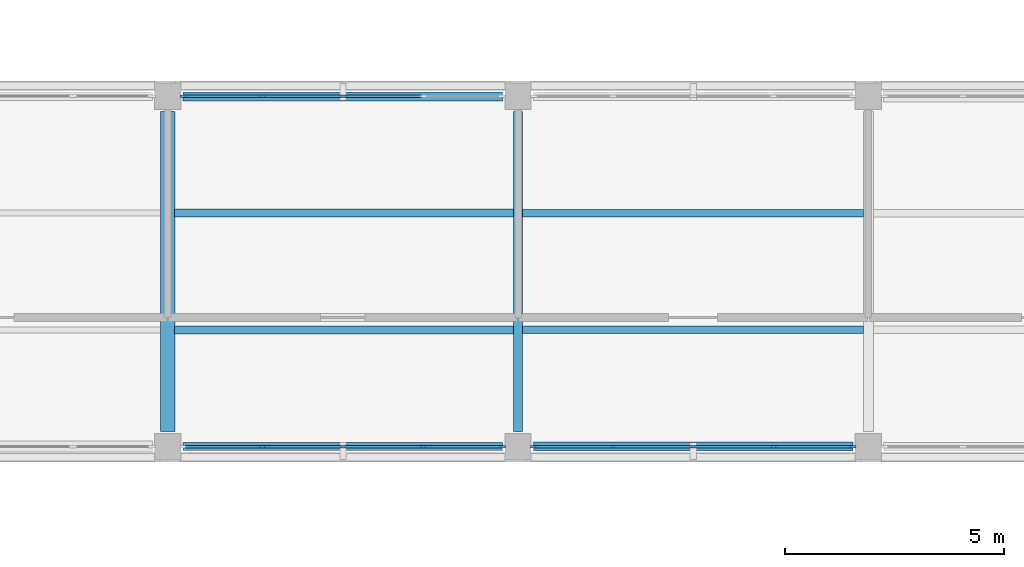
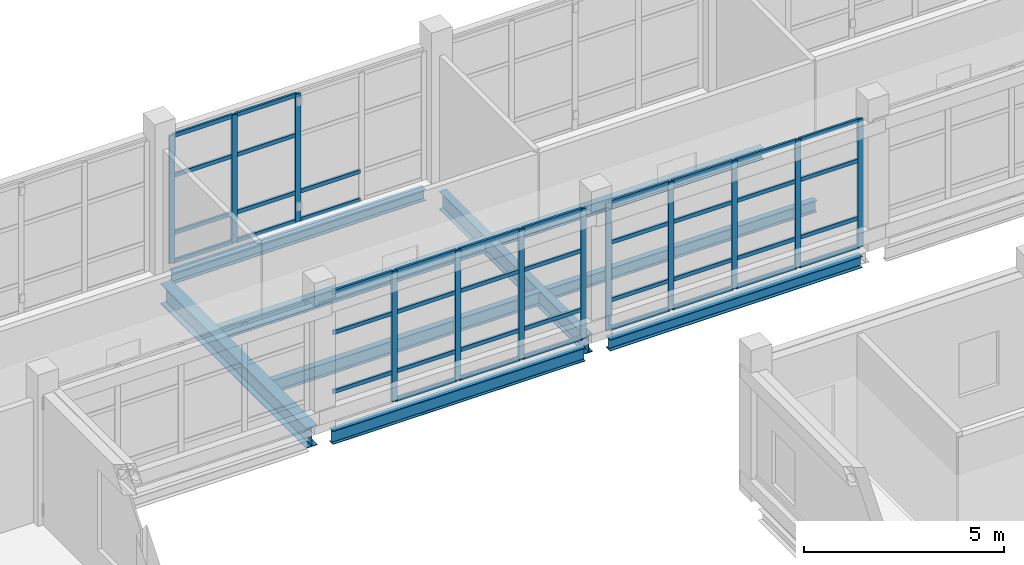
# One storey, part 47 of 121: 53 members, 9 beams, 3 elements without a shape of their own.
"""IFC4 building model written with IfcOpenShell, lengths in metres."""

from ifc_helpers import new_model, si_unit, derived_unit, direction, frame, origin, origin_2d, place, context, subcontext, project, spatial, rectangle, i_section, extrude, material, layer, layer_set, material_profile, profile_set, type_object, element, aggregate, save


model = new_model("IFC4")

# Units and contexts
model_context = context("Model", 3, precision=1e-05, world=origin(), true_north=direction((0.0, 1.0)))
body_context = subcontext(model_context, "Body", "Model", "MODEL_VIEW")
ifc_project = project(units=[si_unit("LENGTHUNIT", "METRE"), si_unit("AREAUNIT", "SQUARE_METRE"), si_unit("VOLUMEUNIT", "CUBIC_METRE"), si_unit("PLANEANGLEUNIT", "RADIAN"), si_unit("MASSUNIT", "GRAM", prefix="KILO"), derived_unit("THERMALTRANSMITTANCEUNIT", [(si_unit("MASSUNIT", "GRAM", prefix="KILO"), 1), (si_unit("TIMEUNIT", "SECOND"), -3), (si_unit("THERMODYNAMICTEMPERATUREUNIT", "KELVIN"), -1)])], contexts=[model_context])

# Site, building, storey
site_placement = place(None, origin())
site = spatial("IfcSite", under=ifc_project, at=site_placement, CompositionType="ELEMENT")
building_placement = place(site_placement, origin())
building = spatial("IfcBuilding", under=site, at=building_placement, Name="Veyamyaing Civic Hall", CompositionType="ELEMENT")
storey_placement = place(building_placement, frame((0.0, 0.0, 5.280029296875)))
storey = spatial("IfcBuildingStorey", under=building, at=storey_placement, Name="L01", CompositionType="ELEMENT", Elevation=5.280029296875)

# Beams
ifc_material_1 = material(Name="Steel ASTM A992", Category="steel")
ifc_material_profile_1 = material_profile(ifc_material_1, i_section(OverallWidth=0.179931640625, OverallDepth=0.4130859375, WebThickness=0.009765625, FlangeThickness=0.01611328125, FilletRadius=0.010009765625, at=origin_2d()), Name="W410X74")
ifc_profile_set_1 = profile_set([ifc_material_profile_1], Name="Steel ASTM A992")
beam_type_1 = type_object("IfcBeamType", Name="B-10", PredefinedType="SPANDREL", material=ifc_profile_set_1)
beam_1_placement = place(storey_placement, frame((128.35009765625, 48.0, -0.451416015625), z_axis=(1.0, 0.0, 0.0), x_axis=(0.0, 1.0, 0.0)))
element("IfcBeam", 1, at=beam_1_placement, inside=storey, type_object=beam_type_1, Name="Girder B-10 L01 Grid G 17-18", PredefinedType="SPANDREL", context=body_context, shape_type="SweptSolid", body=[
    extrude(i_section(OverallWidth=0.179931640625, OverallDepth=0.4130859375, WebThickness=0.009765625, FlangeThickness=0.01611328125, FilletRadius=0.010009765625, at=origin_2d()), origin(), (0.0, 0.0, 1.0), 7.2998046875),
])
ifc_material_profile_2 = material_profile(ifc_material_1, i_section(OverallWidth=0.2041015625, OverallDepth=0.35009765625, WebThickness=0.0078125, FlangeThickness=0.01513671875, FilletRadius=0.010009765625, at=origin_2d()), Name="W360X72")
ifc_profile_set_2 = profile_set([ifc_material_profile_2], Name="Steel ASTM A992")
beam_type_2 = type_object("IfcBeamType", Name="B-11", PredefinedType="SPANDREL", material=ifc_profile_set_2)
for number, where, z_axis, x_axis, name in (
    (2, (136.35009765625, 48.0, -0.419921875), (1.0, 0.0, 0.0), (0.0, 1.0, 0.0), "Girder B-11 L01 Grid G 18-19"),
    (3, (128.35009765625, 56.0, -0.419921875), (1.0, 0.0, 0.0), (0.0, 1.0, 0.0), "Girder B-11 L01 Grid H 17-18"),
):
    element("IfcBeam", number, at=place(storey_placement, frame(where, z_axis=z_axis, x_axis=x_axis)), inside=storey, type_object=beam_type_2, Name=name, PredefinedType="SPANDREL", context=body_context, shape_type="SweptSolid", body=[
        extrude(i_section(OverallWidth=0.2041015625, OverallDepth=0.35009765625, WebThickness=0.0078125, FlangeThickness=0.01513671875, FilletRadius=0.010009765625, at=origin_2d()), origin(), (0.0, 0.0, 1.0), 7.2998046875),
    ])
ifc_material_profile_3 = material_profile(ifc_material_1, i_section(OverallWidth=0.324951171875, OverallDepth=0.615966796875, WebThickness=0.013916015625, FlangeThickness=0.021484375, FilletRadius=0.013916015625, at=origin_2d()), Name="W610X174")
ifc_profile_set_3 = profile_set([ifc_material_profile_3], Name="Steel ASTM A992")
beam_type_3 = type_object("IfcBeamType", Name="B-15", PredefinedType="BEAM", material=ifc_profile_set_3)
beam_2_placement = place(storey_placement, frame((128.0, 48.35009765625, -0.552978515625), z_axis=(0.0, 1.0, 0.0), x_axis=(-1.0, 0.0, 0.0)))
element("IfcBeam", 4, at=beam_2_placement, inside=storey, type_object=beam_type_3, Name="Girder B-15 L01 Grid 17 G-H", PredefinedType="BEAM", context=body_context, shape_type="SweptSolid", body=[
    extrude(i_section(OverallWidth=0.324951171875, OverallDepth=0.615966796875, WebThickness=0.013916015625, FlangeThickness=0.021484375, FilletRadius=0.013916015625, at=origin_2d()), origin(), (0.0, 0.0, 1.0), 7.2998046875),
])
ifc_material_profile_4 = material_profile(ifc_material_1, i_section(OverallWidth=0.214111328125, OverallDepth=0.549072265625, WebThickness=0.0146484375, FlangeThickness=0.023681640625, FilletRadius=0.011962890625, at=origin_2d()), Name="W530X138")
ifc_profile_set_4 = profile_set([ifc_material_profile_4], Name="Steel ASTM A992")
beam_type_4 = type_object("IfcBeamType", Name="B-16", PredefinedType="BEAM", material=ifc_profile_set_4)
beam_3_placement = place(storey_placement, frame((136.0, 48.35009765625, -0.51953125), z_axis=(0.0, 1.0, 0.0), x_axis=(-1.0, 0.0, 0.0)))
element("IfcBeam", 5, at=beam_3_placement, inside=storey, type_object=beam_type_4, Name="Girder B-16 L01 Grid 18 G-H", PredefinedType="BEAM", context=body_context, shape_type="SweptSolid", body=[
    extrude(i_section(OverallWidth=0.214111328125, OverallDepth=0.549072265625, WebThickness=0.0146484375, FlangeThickness=0.023681640625, FilletRadius=0.011962890625, at=origin_2d()), origin(), (0.0, 0.0, 1.0), 7.2998046875),
])

# Curtain wall, members
ifc_material_2 = material(Name="Anodised aluminium 6063-T6", Category="aluminium")
ifc_layer = layer(ifc_material_2, 0.159912109375, Name="Anodised aluminium 6063-T6")
ifc_layer_set = layer_set([ifc_layer], Name="Anodised aluminium 6063-T6")
curtain_wall_type = type_object("IfcCurtainWallType", Name="CW-02", PredefinedType="NOTDEFINED", material=ifc_layer_set)
curtain_wall_1_placement = place(storey_placement, origin())
curtain_wall_1 = element("IfcCurtainWall", 6, at=curtain_wall_1_placement, inside=storey, type_object=curtain_wall_type, Name="Unitized curtain wall CW-02 L01 S 17.7", PredefinedType="NOTDEFINED")
ifc_material_profile_5 = material_profile(ifc_material_2, rectangle(XDim=0.06494140625, YDim=0.159912109375, at=origin_2d()), Name="ALU-MUL-65X160")
ifc_profile_set_5 = profile_set([ifc_material_profile_5], Name="Anodised aluminium 6063-T6")
member_type_1 = type_object("IfcMemberType", Name="CWM-01", PredefinedType="MULLION", material=ifc_profile_set_5)
member_1_placement = place(storey_placement, frame((130.1650390625, 48.0, 0.0), z_axis=(0.0, 0.0, 1.0), x_axis=(0.0, 1.0, 0.0)))
member_1 = element("IfcMember", 7, at=member_1_placement, type_object=member_type_1, Name="CW-02 mullion 2", PredefinedType="MULLION", context=body_context, shape_type="SweptSolid", body=[
    extrude(rectangle(XDim=0.06494140625, YDim=0.159912109375, at=origin_2d()), origin(), (0.0, 0.0, 1.0), 3.97705078125),
])
member_2_placement = place(storey_placement, frame((132.0, 48.0, 0.0), z_axis=(0.0, 0.0, 1.0), x_axis=(0.0, 1.0, 0.0)))
member_2 = element("IfcMember", 8, at=member_2_placement, type_object=member_type_1, Name="CW-02 mullion 3", PredefinedType="MULLION", context=body_context, shape_type="SweptSolid", body=[
    extrude(rectangle(XDim=0.06494140625, YDim=0.159912109375, at=origin_2d()), origin(), (0.0, 0.0, 1.0), 3.97705078125),
])
member_3_placement = place(storey_placement, frame((133.8349609375, 48.0, 0.0), z_axis=(0.0, 0.0, 1.0), x_axis=(0.0, 1.0, 0.0)))
member_3 = element("IfcMember", 9, at=member_3_placement, type_object=member_type_1, Name="CW-02 mullion 4", PredefinedType="MULLION", context=body_context, shape_type="SweptSolid", body=[
    extrude(rectangle(XDim=0.06494140625, YDim=0.159912109375, at=origin_2d()), origin(), (0.0, 0.0, 1.0), 3.97705078125),
])
member_4_placement = place(storey_placement, frame((135.637451171875, 48.0, 0.0), z_axis=(0.0, 0.0, 1.0), x_axis=(0.0, 1.0, 0.0)))
member_4 = element("IfcMember", 10, at=member_4_placement, type_object=member_type_1, Name="CW-02 mullion 5", PredefinedType="MULLION", context=body_context, shape_type="SweptSolid", body=[
    extrude(rectangle(XDim=0.06494140625, YDim=0.159912109375, at=origin_2d()), origin(), (0.0, 0.0, 1.0), 3.97705078125),
])

curtain_wall_2_placement = place(storey_placement, origin())
curtain_wall_2 = element("IfcCurtainWall", 11, at=curtain_wall_2_placement, inside=storey, type_object=curtain_wall_type, Name="Unitized curtain wall CW-02 L01 N 17.7", PredefinedType="NOTDEFINED")
member_5_placement = place(storey_placement, frame((128.362548828125, 56.0, 0.0), z_axis=(0.0, 0.0, 1.0), x_axis=(0.0, 1.0, 0.0)))
member_5 = element("IfcMember", 12, at=member_5_placement, type_object=member_type_1, Name="CW-02 mullion 1", PredefinedType="MULLION", context=body_context, shape_type="SweptSolid", body=[
    extrude(rectangle(XDim=0.06494140625, YDim=0.159912109375, at=origin_2d()), origin(), (0.0, 0.0, 1.0), 3.909912109375),
])
member_6_placement = place(storey_placement, frame((130.1650390625, 56.0, 0.0), z_axis=(0.0, 0.0, 1.0), x_axis=(0.0, 1.0, 0.0)))
member_6 = element("IfcMember", 13, at=member_6_placement, type_object=member_type_1, Name="CW-02 mullion 2", PredefinedType="MULLION", context=body_context, shape_type="SweptSolid", body=[
    extrude(rectangle(XDim=0.06494140625, YDim=0.159912109375, at=origin_2d()), origin(), (0.0, 0.0, 1.0), 3.909912109375),
])
member_7_placement = place(storey_placement, frame((132.0, 56.0, 0.0), z_axis=(0.0, 0.0, 1.0), x_axis=(0.0, 1.0, 0.0)))
member_7 = element("IfcMember", 14, at=member_7_placement, type_object=member_type_1, Name="CW-02 mullion 3", PredefinedType="MULLION", context=body_context, shape_type="SweptSolid", body=[
    extrude(rectangle(XDim=0.06494140625, YDim=0.159912109375, at=origin_2d()), origin(), (0.0, 0.0, 1.0), 3.909912109375),
])

curtain_wall_3_placement = place(storey_placement, origin())
curtain_wall_3 = element("IfcCurtainWall", 15, at=curtain_wall_3_placement, inside=storey, type_object=curtain_wall_type, Name="Unitized curtain wall CW-02 L01 S 18.7", PredefinedType="NOTDEFINED")
member_8_placement = place(storey_placement, frame((136.362548828125, 48.0, 0.0), z_axis=(0.0, 0.0, 1.0), x_axis=(0.0, 1.0, 0.0)))
member_8 = element("IfcMember", 16, at=member_8_placement, type_object=member_type_1, Name="CW-02 mullion 1", PredefinedType="MULLION", context=body_context, shape_type="SweptSolid", body=[
    extrude(rectangle(XDim=0.06494140625, YDim=0.159912109375, at=origin_2d()), origin(), (0.0, 0.0, 1.0), 3.909912109375),
])
member_9_placement = place(storey_placement, frame((138.1650390625, 48.0, 0.0), z_axis=(0.0, 0.0, 1.0), x_axis=(0.0, 1.0, 0.0)))
member_9 = element("IfcMember", 17, at=member_9_placement, type_object=member_type_1, Name="CW-02 mullion 2", PredefinedType="MULLION", context=body_context, shape_type="SweptSolid", body=[
    extrude(rectangle(XDim=0.06494140625, YDim=0.159912109375, at=origin_2d()), origin(), (0.0, 0.0, 1.0), 3.909912109375),
])
member_10_placement = place(storey_placement, frame((140.0, 48.0, 0.0), z_axis=(0.0, 0.0, 1.0), x_axis=(0.0, 1.0, 0.0)))
member_10 = element("IfcMember", 18, at=member_10_placement, type_object=member_type_1, Name="CW-02 mullion 3", PredefinedType="MULLION", context=body_context, shape_type="SweptSolid", body=[
    extrude(rectangle(XDim=0.06494140625, YDim=0.159912109375, at=origin_2d()), origin(), (0.0, 0.0, 1.0), 3.909912109375),
])
member_11_placement = place(storey_placement, frame((141.8349609375, 48.0, 0.0), z_axis=(0.0, 0.0, 1.0), x_axis=(0.0, 1.0, 0.0)))
member_11 = element("IfcMember", 19, at=member_11_placement, type_object=member_type_1, Name="CW-02 mullion 4", PredefinedType="MULLION", context=body_context, shape_type="SweptSolid", body=[
    extrude(rectangle(XDim=0.06494140625, YDim=0.159912109375, at=origin_2d()), origin(), (0.0, 0.0, 1.0), 3.909912109375),
])
member_12_placement = place(storey_placement, frame((143.637451171875, 48.0, 0.0), z_axis=(0.0, 0.0, 1.0), x_axis=(0.0, 1.0, 0.0)))
member_12 = element("IfcMember", 20, at=member_12_placement, type_object=member_type_1, Name="CW-02 mullion 5", PredefinedType="MULLION", context=body_context, shape_type="SweptSolid", body=[
    extrude(rectangle(XDim=0.06494140625, YDim=0.159912109375, at=origin_2d()), origin(), (0.0, 0.0, 1.0), 3.909912109375),
])

# Member
ifc_material_profile_6 = material_profile(ifc_material_2, rectangle(XDim=0.06494140625, YDim=0.1201171875, at=origin_2d()), Name="ALU-TRN-65X120")
ifc_profile_set_6 = profile_set([ifc_material_profile_6], Name="Anodised aluminium 6063-T6")
member_type_2 = type_object("IfcMemberType", Name="CWT-01", PredefinedType="USERDEFINED", material=ifc_profile_set_6)
member_13_placement = place(storey_placement, frame((128.39501953125, 48.0, 0.89990234375), z_axis=(1.0, 0.0, 0.0), x_axis=(0.0, 1.0, 0.0)))
member_13 = element("IfcMember", 21, at=member_13_placement, type_object=member_type_2, Name="CW-02 transom 1.2", ObjectType="TRANSOM", PredefinedType="USERDEFINED", context=body_context, shape_type="SweptSolid", body=[
    extrude(rectangle(XDim=0.06494140625, YDim=0.1201171875, at=origin_2d()), origin(), (0.0, 0.0, 1.0), 1.737548828125),
])

member_14_placement = place(storey_placement, frame((128.39501953125, 48.0, 2.704345703125), z_axis=(1.0, 0.0, 0.0), x_axis=(0.0, 1.0, 0.0)))
member_14 = element("IfcMember", 22, at=member_14_placement, type_object=member_type_2, Name="CW-02 transom 1.3", ObjectType="TRANSOM", PredefinedType="USERDEFINED", context=body_context, shape_type="SweptSolid", body=[
    extrude(rectangle(XDim=0.06494140625, YDim=0.1201171875, at=origin_2d()), origin(), (0.0, 0.0, 1.0), 1.737548828125),
])

member_15_placement = place(storey_placement, frame((128.39501953125, 48.0, 3.944580078125), z_axis=(1.0, 0.0, 0.0), x_axis=(0.0, 1.0, 0.0)))
member_15 = element("IfcMember", 23, at=member_15_placement, type_object=member_type_2, Name="CW-02 transom 1.4", ObjectType="TRANSOM", PredefinedType="USERDEFINED", context=body_context, shape_type="SweptSolid", body=[
    extrude(rectangle(XDim=0.06494140625, YDim=0.1201171875, at=origin_2d()), origin(), (0.0, 0.0, 1.0), 1.737548828125),
])

member_16_placement = place(storey_placement, frame((130.197509765625, 48.0, 0.032470703125), z_axis=(1.0, 0.0, 0.0), x_axis=(0.0, 1.0, 0.0)))
member_16 = element("IfcMember", 24, at=member_16_placement, type_object=member_type_2, Name="CW-02 transom 2.1", ObjectType="TRANSOM", PredefinedType="USERDEFINED", context=body_context, shape_type="SweptSolid", body=[
    extrude(rectangle(XDim=0.06494140625, YDim=0.1201171875, at=origin_2d()), origin(), (0.0, 0.0, 1.0), 1.77001953125),
])

member_17_placement = place(storey_placement, frame((130.197509765625, 48.0, 0.89990234375), z_axis=(1.0, 0.0, 0.0), x_axis=(0.0, 1.0, 0.0)))
member_17 = element("IfcMember", 25, at=member_17_placement, type_object=member_type_2, Name="CW-02 transom 2.2", ObjectType="TRANSOM", PredefinedType="USERDEFINED", context=body_context, shape_type="SweptSolid", body=[
    extrude(rectangle(XDim=0.06494140625, YDim=0.1201171875, at=origin_2d()), origin(), (0.0, 0.0, 1.0), 1.77001953125),
])

member_18_placement = place(storey_placement, frame((130.197509765625, 48.0, 2.704345703125), z_axis=(1.0, 0.0, 0.0), x_axis=(0.0, 1.0, 0.0)))
member_18 = element("IfcMember", 26, at=member_18_placement, type_object=member_type_2, Name="CW-02 transom 2.3", ObjectType="TRANSOM", PredefinedType="USERDEFINED", context=body_context, shape_type="SweptSolid", body=[
    extrude(rectangle(XDim=0.06494140625, YDim=0.1201171875, at=origin_2d()), origin(), (0.0, 0.0, 1.0), 1.77001953125),
])

member_19_placement = place(storey_placement, frame((130.197509765625, 48.0, 3.944580078125), z_axis=(1.0, 0.0, 0.0), x_axis=(0.0, 1.0, 0.0)))
member_19 = element("IfcMember", 27, at=member_19_placement, type_object=member_type_2, Name="CW-02 transom 2.4", ObjectType="TRANSOM", PredefinedType="USERDEFINED", context=body_context, shape_type="SweptSolid", body=[
    extrude(rectangle(XDim=0.06494140625, YDim=0.1201171875, at=origin_2d()), origin(), (0.0, 0.0, 1.0), 1.77001953125),
])

member_20_placement = place(storey_placement, frame((132.032470703125, 48.0, 0.032470703125), z_axis=(1.0, 0.0, 0.0), x_axis=(0.0, 1.0, 0.0)))
member_20 = element("IfcMember", 28, at=member_20_placement, type_object=member_type_2, Name="CW-02 transom 3.1", ObjectType="TRANSOM", PredefinedType="USERDEFINED", context=body_context, shape_type="SweptSolid", body=[
    extrude(rectangle(XDim=0.06494140625, YDim=0.1201171875, at=origin_2d()), origin(), (0.0, 0.0, 1.0), 1.77001953125),
])

member_21_placement = place(storey_placement, frame((132.032470703125, 48.0, 0.89990234375), z_axis=(1.0, 0.0, 0.0), x_axis=(0.0, 1.0, 0.0)))
member_21 = element("IfcMember", 29, at=member_21_placement, type_object=member_type_2, Name="CW-02 transom 3.2", ObjectType="TRANSOM", PredefinedType="USERDEFINED", context=body_context, shape_type="SweptSolid", body=[
    extrude(rectangle(XDim=0.06494140625, YDim=0.1201171875, at=origin_2d()), origin(), (0.0, 0.0, 1.0), 1.77001953125),
])

member_22_placement = place(storey_placement, frame((132.032470703125, 48.0, 2.704345703125), z_axis=(1.0, 0.0, 0.0), x_axis=(0.0, 1.0, 0.0)))
member_22 = element("IfcMember", 30, at=member_22_placement, type_object=member_type_2, Name="CW-02 transom 3.3", ObjectType="TRANSOM", PredefinedType="USERDEFINED", context=body_context, shape_type="SweptSolid", body=[
    extrude(rectangle(XDim=0.06494140625, YDim=0.1201171875, at=origin_2d()), origin(), (0.0, 0.0, 1.0), 1.77001953125),
])

member_23_placement = place(storey_placement, frame((132.032470703125, 48.0, 3.944580078125), z_axis=(1.0, 0.0, 0.0), x_axis=(0.0, 1.0, 0.0)))
member_23 = element("IfcMember", 31, at=member_23_placement, type_object=member_type_2, Name="CW-02 transom 3.4", ObjectType="TRANSOM", PredefinedType="USERDEFINED", context=body_context, shape_type="SweptSolid", body=[
    extrude(rectangle(XDim=0.06494140625, YDim=0.1201171875, at=origin_2d()), origin(), (0.0, 0.0, 1.0), 1.77001953125),
])

member_24_placement = place(storey_placement, frame((133.867431640625, 48.0, 0.032470703125), z_axis=(1.0, 0.0, 0.0), x_axis=(0.0, 1.0, 0.0)))
member_24 = element("IfcMember", 32, at=member_24_placement, type_object=member_type_2, Name="CW-02 transom 4.1", ObjectType="TRANSOM", PredefinedType="USERDEFINED", context=body_context, shape_type="SweptSolid", body=[
    extrude(rectangle(XDim=0.06494140625, YDim=0.1201171875, at=origin_2d()), origin(), (0.0, 0.0, 1.0), 1.737548828125),
])

member_25_placement = place(storey_placement, frame((133.867431640625, 48.0, 0.89990234375), z_axis=(1.0, 0.0, 0.0), x_axis=(0.0, 1.0, 0.0)))
member_25 = element("IfcMember", 33, at=member_25_placement, type_object=member_type_2, Name="CW-02 transom 4.2", ObjectType="TRANSOM", PredefinedType="USERDEFINED", context=body_context, shape_type="SweptSolid", body=[
    extrude(rectangle(XDim=0.06494140625, YDim=0.1201171875, at=origin_2d()), origin(), (0.0, 0.0, 1.0), 1.737548828125),
])

member_26_placement = place(storey_placement, frame((133.867431640625, 48.0, 2.704345703125), z_axis=(1.0, 0.0, 0.0), x_axis=(0.0, 1.0, 0.0)))
member_26 = element("IfcMember", 34, at=member_26_placement, type_object=member_type_2, Name="CW-02 transom 4.3", ObjectType="TRANSOM", PredefinedType="USERDEFINED", context=body_context, shape_type="SweptSolid", body=[
    extrude(rectangle(XDim=0.06494140625, YDim=0.1201171875, at=origin_2d()), origin(), (0.0, 0.0, 1.0), 1.737548828125),
])

member_27_placement = place(storey_placement, frame((133.867431640625, 48.0, 3.944580078125), z_axis=(1.0, 0.0, 0.0), x_axis=(0.0, 1.0, 0.0)))
member_27 = element("IfcMember", 35, at=member_27_placement, type_object=member_type_2, Name="CW-02 transom 4.4", ObjectType="TRANSOM", PredefinedType="USERDEFINED", context=body_context, shape_type="SweptSolid", body=[
    extrude(rectangle(XDim=0.06494140625, YDim=0.1201171875, at=origin_2d()), origin(), (0.0, 0.0, 1.0), 1.737548828125),
])

aggregate(curtain_wall_1, [member_1, member_2, member_3, member_4, member_13, member_14, member_15, member_16, member_17, member_18, member_19, member_20, member_21, member_22, member_23, member_24, member_25, member_26, member_27])

member_28_placement = place(storey_placement, frame((128.39501953125, 56.0, 0.032470703125), z_axis=(1.0, 0.0, 0.0), x_axis=(0.0, 1.0, 0.0)))
member_28 = element("IfcMember", 36, at=member_28_placement, type_object=member_type_2, Name="CW-02 transom 1.1", ObjectType="TRANSOM", PredefinedType="USERDEFINED", context=body_context, shape_type="SweptSolid", body=[
    extrude(rectangle(XDim=0.06494140625, YDim=0.1201171875, at=origin_2d()), origin(), (0.0, 0.0, 1.0), 1.737548828125),
])

member_29_placement = place(storey_placement, frame((128.39501953125, 56.0, 0.89990234375), z_axis=(1.0, 0.0, 0.0), x_axis=(0.0, 1.0, 0.0)))
member_29 = element("IfcMember", 37, at=member_29_placement, type_object=member_type_2, Name="CW-02 transom 1.2", ObjectType="TRANSOM", PredefinedType="USERDEFINED", context=body_context, shape_type="SweptSolid", body=[
    extrude(rectangle(XDim=0.06494140625, YDim=0.1201171875, at=origin_2d()), origin(), (0.0, 0.0, 1.0), 1.737548828125),
])

member_30_placement = place(storey_placement, frame((128.39501953125, 56.0, 2.65869140625), z_axis=(1.0, 0.0, 0.0), x_axis=(0.0, 1.0, 0.0)))
member_30 = element("IfcMember", 38, at=member_30_placement, type_object=member_type_2, Name="CW-02 transom 1.3", ObjectType="TRANSOM", PredefinedType="USERDEFINED", context=body_context, shape_type="SweptSolid", body=[
    extrude(rectangle(XDim=0.06494140625, YDim=0.1201171875, at=origin_2d()), origin(), (0.0, 0.0, 1.0), 1.737548828125),
])

member_31_placement = place(storey_placement, frame((128.39501953125, 56.0, 3.87744140625), z_axis=(1.0, 0.0, 0.0), x_axis=(0.0, 1.0, 0.0)))
member_31 = element("IfcMember", 39, at=member_31_placement, type_object=member_type_2, Name="CW-02 transom 1.4", ObjectType="TRANSOM", PredefinedType="USERDEFINED", context=body_context, shape_type="SweptSolid", body=[
    extrude(rectangle(XDim=0.06494140625, YDim=0.1201171875, at=origin_2d()), origin(), (0.0, 0.0, 1.0), 1.737548828125),
])

member_32_placement = place(storey_placement, frame((130.197509765625, 56.0, 0.032470703125), z_axis=(1.0, 0.0, 0.0), x_axis=(0.0, 1.0, 0.0)))
member_32 = element("IfcMember", 40, at=member_32_placement, type_object=member_type_2, Name="CW-02 transom 2.1", ObjectType="TRANSOM", PredefinedType="USERDEFINED", context=body_context, shape_type="SweptSolid", body=[
    extrude(rectangle(XDim=0.06494140625, YDim=0.1201171875, at=origin_2d()), origin(), (0.0, 0.0, 1.0), 1.77001953125),
])

member_33_placement = place(storey_placement, frame((130.197509765625, 56.0, 0.89990234375), z_axis=(1.0, 0.0, 0.0), x_axis=(0.0, 1.0, 0.0)))
member_33 = element("IfcMember", 41, at=member_33_placement, type_object=member_type_2, Name="CW-02 transom 2.2", ObjectType="TRANSOM", PredefinedType="USERDEFINED", context=body_context, shape_type="SweptSolid", body=[
    extrude(rectangle(XDim=0.06494140625, YDim=0.1201171875, at=origin_2d()), origin(), (0.0, 0.0, 1.0), 1.77001953125),
])

member_34_placement = place(storey_placement, frame((130.197509765625, 56.0, 2.65869140625), z_axis=(1.0, 0.0, 0.0), x_axis=(0.0, 1.0, 0.0)))
member_34 = element("IfcMember", 42, at=member_34_placement, type_object=member_type_2, Name="CW-02 transom 2.3", ObjectType="TRANSOM", PredefinedType="USERDEFINED", context=body_context, shape_type="SweptSolid", body=[
    extrude(rectangle(XDim=0.06494140625, YDim=0.1201171875, at=origin_2d()), origin(), (0.0, 0.0, 1.0), 1.77001953125),
])

member_35_placement = place(storey_placement, frame((130.197509765625, 56.0, 3.87744140625), z_axis=(1.0, 0.0, 0.0), x_axis=(0.0, 1.0, 0.0)))
member_35 = element("IfcMember", 43, at=member_35_placement, type_object=member_type_2, Name="CW-02 transom 2.4", ObjectType="TRANSOM", PredefinedType="USERDEFINED", context=body_context, shape_type="SweptSolid", body=[
    extrude(rectangle(XDim=0.06494140625, YDim=0.1201171875, at=origin_2d()), origin(), (0.0, 0.0, 1.0), 1.77001953125),
])

member_36_placement = place(storey_placement, frame((132.032470703125, 56.0, 0.032470703125), z_axis=(1.0, 0.0, 0.0), x_axis=(0.0, 1.0, 0.0)))
member_36 = element("IfcMember", 44, at=member_36_placement, type_object=member_type_2, Name="CW-02 transom 3.1", ObjectType="TRANSOM", PredefinedType="USERDEFINED", context=body_context, shape_type="SweptSolid", body=[
    extrude(rectangle(XDim=0.06494140625, YDim=0.1201171875, at=origin_2d()), origin(), (0.0, 0.0, 1.0), 1.77001953125),
])

member_37_placement = place(storey_placement, frame((132.032470703125, 56.0, 0.89990234375), z_axis=(1.0, 0.0, 0.0), x_axis=(0.0, 1.0, 0.0)))
member_37 = element("IfcMember", 45, at=member_37_placement, type_object=member_type_2, Name="CW-02 transom 3.2", ObjectType="TRANSOM", PredefinedType="USERDEFINED", context=body_context, shape_type="SweptSolid", body=[
    extrude(rectangle(XDim=0.06494140625, YDim=0.1201171875, at=origin_2d()), origin(), (0.0, 0.0, 1.0), 1.77001953125),
])

aggregate(curtain_wall_2, [member_5, member_6, member_7, member_28, member_29, member_30, member_31, member_32, member_33, member_34, member_35, member_36, member_37])

member_38_placement = place(storey_placement, frame((136.39501953125, 48.0, 0.032470703125), z_axis=(1.0, 0.0, 0.0), x_axis=(0.0, 1.0, 0.0)))
member_38 = element("IfcMember", 46, at=member_38_placement, type_object=member_type_2, Name="CW-02 transom 1.1", ObjectType="TRANSOM", PredefinedType="USERDEFINED", context=body_context, shape_type="SweptSolid", body=[
    extrude(rectangle(XDim=0.06494140625, YDim=0.1201171875, at=origin_2d()), origin(), (0.0, 0.0, 1.0), 1.737548828125),
])

member_39_placement = place(storey_placement, frame((136.39501953125, 48.0, 0.89990234375), z_axis=(1.0, 0.0, 0.0), x_axis=(0.0, 1.0, 0.0)))
member_39 = element("IfcMember", 47, at=member_39_placement, type_object=member_type_2, Name="CW-02 transom 1.2", ObjectType="TRANSOM", PredefinedType="USERDEFINED", context=body_context, shape_type="SweptSolid", body=[
    extrude(rectangle(XDim=0.06494140625, YDim=0.1201171875, at=origin_2d()), origin(), (0.0, 0.0, 1.0), 1.737548828125),
])

member_40_placement = place(storey_placement, frame((136.39501953125, 48.0, 2.65869140625), z_axis=(1.0, 0.0, 0.0), x_axis=(0.0, 1.0, 0.0)))
member_40 = element("IfcMember", 48, at=member_40_placement, type_object=member_type_2, Name="CW-02 transom 1.3", ObjectType="TRANSOM", PredefinedType="USERDEFINED", context=body_context, shape_type="SweptSolid", body=[
    extrude(rectangle(XDim=0.06494140625, YDim=0.1201171875, at=origin_2d()), origin(), (0.0, 0.0, 1.0), 1.737548828125),
])

member_41_placement = place(storey_placement, frame((136.39501953125, 48.0, 3.87744140625), z_axis=(1.0, 0.0, 0.0), x_axis=(0.0, 1.0, 0.0)))
member_41 = element("IfcMember", 49, at=member_41_placement, type_object=member_type_2, Name="CW-02 transom 1.4", ObjectType="TRANSOM", PredefinedType="USERDEFINED", context=body_context, shape_type="SweptSolid", body=[
    extrude(rectangle(XDim=0.06494140625, YDim=0.1201171875, at=origin_2d()), origin(), (0.0, 0.0, 1.0), 1.737548828125),
])

member_42_placement = place(storey_placement, frame((138.197509765625, 48.0, 0.032470703125), z_axis=(1.0, 0.0, 0.0), x_axis=(0.0, 1.0, 0.0)))
member_42 = element("IfcMember", 50, at=member_42_placement, type_object=member_type_2, Name="CW-02 transom 2.1", ObjectType="TRANSOM", PredefinedType="USERDEFINED", context=body_context, shape_type="SweptSolid", body=[
    extrude(rectangle(XDim=0.06494140625, YDim=0.1201171875, at=origin_2d()), origin(), (0.0, 0.0, 1.0), 1.77001953125),
])

member_43_placement = place(storey_placement, frame((138.197509765625, 48.0, 0.89990234375), z_axis=(1.0, 0.0, 0.0), x_axis=(0.0, 1.0, 0.0)))
member_43 = element("IfcMember", 51, at=member_43_placement, type_object=member_type_2, Name="CW-02 transom 2.2", ObjectType="TRANSOM", PredefinedType="USERDEFINED", context=body_context, shape_type="SweptSolid", body=[
    extrude(rectangle(XDim=0.06494140625, YDim=0.1201171875, at=origin_2d()), origin(), (0.0, 0.0, 1.0), 1.77001953125),
])

member_44_placement = place(storey_placement, frame((138.197509765625, 48.0, 2.65869140625), z_axis=(1.0, 0.0, 0.0), x_axis=(0.0, 1.0, 0.0)))
member_44 = element("IfcMember", 52, at=member_44_placement, type_object=member_type_2, Name="CW-02 transom 2.3", ObjectType="TRANSOM", PredefinedType="USERDEFINED", context=body_context, shape_type="SweptSolid", body=[
    extrude(rectangle(XDim=0.06494140625, YDim=0.1201171875, at=origin_2d()), origin(), (0.0, 0.0, 1.0), 1.77001953125),
])

member_45_placement = place(storey_placement, frame((138.197509765625, 48.0, 3.87744140625), z_axis=(1.0, 0.0, 0.0), x_axis=(0.0, 1.0, 0.0)))
member_45 = element("IfcMember", 53, at=member_45_placement, type_object=member_type_2, Name="CW-02 transom 2.4", ObjectType="TRANSOM", PredefinedType="USERDEFINED", context=body_context, shape_type="SweptSolid", body=[
    extrude(rectangle(XDim=0.06494140625, YDim=0.1201171875, at=origin_2d()), origin(), (0.0, 0.0, 1.0), 1.77001953125),
])

member_46_placement = place(storey_placement, frame((140.032470703125, 48.0, 0.032470703125), z_axis=(1.0, 0.0, 0.0), x_axis=(0.0, 1.0, 0.0)))
member_46 = element("IfcMember", 54, at=member_46_placement, type_object=member_type_2, Name="CW-02 transom 3.1", ObjectType="TRANSOM", PredefinedType="USERDEFINED", context=body_context, shape_type="SweptSolid", body=[
    extrude(rectangle(XDim=0.06494140625, YDim=0.1201171875, at=origin_2d()), origin(), (0.0, 0.0, 1.0), 1.77001953125),
])

member_47_placement = place(storey_placement, frame((140.032470703125, 48.0, 0.89990234375), z_axis=(1.0, 0.0, 0.0), x_axis=(0.0, 1.0, 0.0)))
member_47 = element("IfcMember", 55, at=member_47_placement, type_object=member_type_2, Name="CW-02 transom 3.2", ObjectType="TRANSOM", PredefinedType="USERDEFINED", context=body_context, shape_type="SweptSolid", body=[
    extrude(rectangle(XDim=0.06494140625, YDim=0.1201171875, at=origin_2d()), origin(), (0.0, 0.0, 1.0), 1.77001953125),
])

member_48_placement = place(storey_placement, frame((140.032470703125, 48.0, 2.65869140625), z_axis=(1.0, 0.0, 0.0), x_axis=(0.0, 1.0, 0.0)))
member_48 = element("IfcMember", 56, at=member_48_placement, type_object=member_type_2, Name="CW-02 transom 3.3", ObjectType="TRANSOM", PredefinedType="USERDEFINED", context=body_context, shape_type="SweptSolid", body=[
    extrude(rectangle(XDim=0.06494140625, YDim=0.1201171875, at=origin_2d()), origin(), (0.0, 0.0, 1.0), 1.77001953125),
])

member_49_placement = place(storey_placement, frame((140.032470703125, 48.0, 3.87744140625), z_axis=(1.0, 0.0, 0.0), x_axis=(0.0, 1.0, 0.0)))
member_49 = element("IfcMember", 57, at=member_49_placement, type_object=member_type_2, Name="CW-02 transom 3.4", ObjectType="TRANSOM", PredefinedType="USERDEFINED", context=body_context, shape_type="SweptSolid", body=[
    extrude(rectangle(XDim=0.06494140625, YDim=0.1201171875, at=origin_2d()), origin(), (0.0, 0.0, 1.0), 1.77001953125),
])

member_50_placement = place(storey_placement, frame((141.867431640625, 48.0, 0.032470703125), z_axis=(1.0, 0.0, 0.0), x_axis=(0.0, 1.0, 0.0)))
member_50 = element("IfcMember", 58, at=member_50_placement, type_object=member_type_2, Name="CW-02 transom 4.1", ObjectType="TRANSOM", PredefinedType="USERDEFINED", context=body_context, shape_type="SweptSolid", body=[
    extrude(rectangle(XDim=0.06494140625, YDim=0.1201171875, at=origin_2d()), origin(), (0.0, 0.0, 1.0), 1.737548828125),
])

member_51_placement = place(storey_placement, frame((141.867431640625, 48.0, 0.89990234375), z_axis=(1.0, 0.0, 0.0), x_axis=(0.0, 1.0, 0.0)))
member_51 = element("IfcMember", 59, at=member_51_placement, type_object=member_type_2, Name="CW-02 transom 4.2", ObjectType="TRANSOM", PredefinedType="USERDEFINED", context=body_context, shape_type="SweptSolid", body=[
    extrude(rectangle(XDim=0.06494140625, YDim=0.1201171875, at=origin_2d()), origin(), (0.0, 0.0, 1.0), 1.737548828125),
])

member_52_placement = place(storey_placement, frame((141.867431640625, 48.0, 2.65869140625), z_axis=(1.0, 0.0, 0.0), x_axis=(0.0, 1.0, 0.0)))
member_52 = element("IfcMember", 60, at=member_52_placement, type_object=member_type_2, Name="CW-02 transom 4.3", ObjectType="TRANSOM", PredefinedType="USERDEFINED", context=body_context, shape_type="SweptSolid", body=[
    extrude(rectangle(XDim=0.06494140625, YDim=0.1201171875, at=origin_2d()), origin(), (0.0, 0.0, 1.0), 1.737548828125),
])

member_53_placement = place(storey_placement, frame((141.867431640625, 48.0, 3.87744140625), z_axis=(1.0, 0.0, 0.0), x_axis=(0.0, 1.0, 0.0)))
member_53 = element("IfcMember", 61, at=member_53_placement, type_object=member_type_2, Name="CW-02 transom 4.4", ObjectType="TRANSOM", PredefinedType="USERDEFINED", context=body_context, shape_type="SweptSolid", body=[
    extrude(rectangle(XDim=0.06494140625, YDim=0.1201171875, at=origin_2d()), origin(), (0.0, 0.0, 1.0), 1.737548828125),
])

aggregate(curtain_wall_3, [member_8, member_9, member_10, member_11, member_12, member_38, member_39, member_40, member_41, member_42, member_43, member_44, member_45, member_46, member_47, member_48, member_49, member_50, member_51, member_52, member_53])

# Beams
ifc_material_profile_7 = material_profile(ifc_material_1, i_section(OverallWidth=0.177978515625, OverallDepth=0.406982421875, WebThickness=0.0078125, FlangeThickness=0.0126953125, FilletRadius=0.010009765625, at=origin_2d()), Name="W410X60")
ifc_profile_set_7 = profile_set([ifc_material_profile_7], Name="Steel ASTM A992")
beam_type_5 = type_object("IfcBeamType", Name="J-01", PredefinedType="JOIST", material=ifc_profile_set_7)
for number, where, z_axis, x_axis, name in (
    (62, (128.160400390625, 50.666748046875, -0.448486328125), (1.0, 0.0, 0.0), (0.0, 1.0, 0.0), "Composite floor joist J-01 L01 17.7.1"),
    (63, (128.160400390625, 53.333251953125, -0.448486328125), (1.0, 0.0, 0.0), (0.0, 1.0, 0.0), "Composite floor joist J-01 L01 17.7.2"),
):
    element("IfcBeam", number, at=place(storey_placement, frame(where, z_axis=z_axis, x_axis=x_axis)), inside=storey, type_object=beam_type_5, Name=name, PredefinedType="JOIST", context=body_context, shape_type="SweptSolid", body=[
        extrude(i_section(OverallWidth=0.177978515625, OverallDepth=0.406982421875, WebThickness=0.0078125, FlangeThickness=0.0126953125, FilletRadius=0.010009765625, at=origin_2d()), origin(), (0.0, 0.0, 1.0), 7.734619140625),
    ])
ifc_material_profile_8 = material_profile(ifc_material_1, i_section(OverallWidth=0.172119140625, OverallDepth=0.35791015625, WebThickness=0.0078125, FlangeThickness=0.01318359375, FilletRadius=0.010009765625, at=origin_2d()), Name="W360X57")
ifc_profile_set_8 = profile_set([ifc_material_profile_8], Name="Steel ASTM A992")
beam_type_6 = type_object("IfcBeamType", Name="J-02", PredefinedType="JOIST", material=ifc_profile_set_8)
for number, where, z_axis, x_axis, name in (
    (64, (136.10498046875, 50.666748046875, -0.424072265625), (1.0, 0.0, 0.0), (0.0, 1.0, 0.0), "Composite floor joist J-02 L01 18.7.1"),
    (65, (136.10498046875, 53.333251953125, -0.424072265625), (1.0, 0.0, 0.0), (0.0, 1.0, 0.0), "Composite floor joist J-02 L01 18.7.2"),
):
    element("IfcBeam", number, at=place(storey_placement, frame(where, z_axis=z_axis, x_axis=x_axis)), inside=storey, type_object=beam_type_6, Name=name, PredefinedType="JOIST", context=body_context, shape_type="SweptSolid", body=[
        extrude(i_section(OverallWidth=0.172119140625, OverallDepth=0.35791015625, WebThickness=0.0078125, FlangeThickness=0.01318359375, FilletRadius=0.010009765625, at=origin_2d()), origin(), (0.0, 0.0, 1.0), 7.781982421875),
    ])

save(model, "model.ifc")
